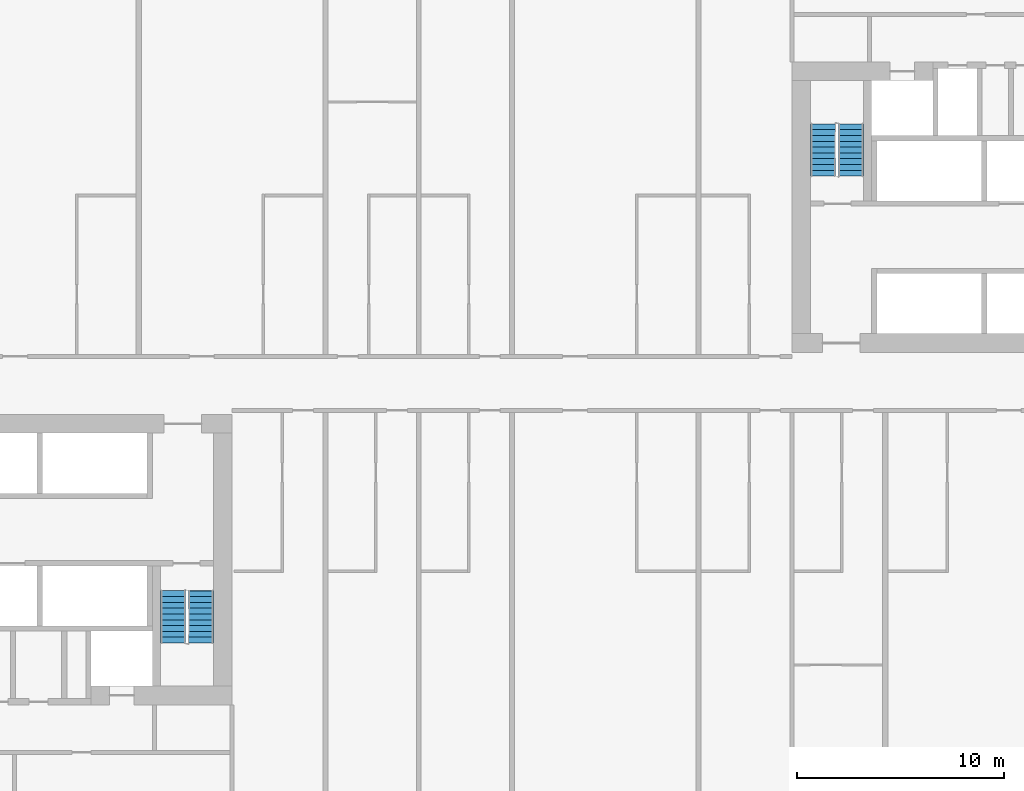
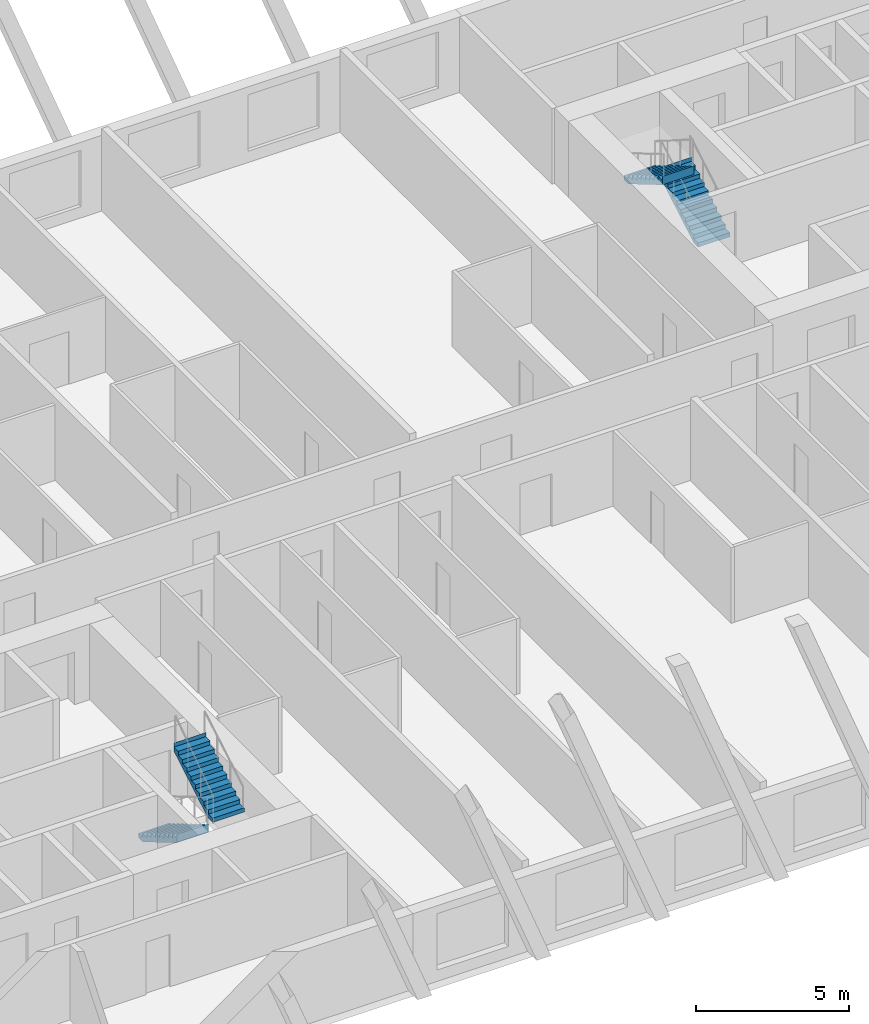
# One storey, part 10 of 13: 4 stair flights, 2 elements without a shape of their own.
"""IFC4 building model written with IfcOpenShell, lengths in metres."""

from ifc_helpers import new_model, si_unit, direction, frame, origin, place, context, subcontext, project, spatial, faceted_brep, material, type_object, element, aggregate, save


model = new_model("IFC4")

# Units and contexts
model_context = context("Model", 3, precision=1e-05, world=origin(), true_north=direction((0.0, 1.0)))
body_context = subcontext(model_context, "Body", "Model", "MODEL_VIEW")
ifc_project = project(units=[si_unit("LENGTHUNIT", "METRE"), si_unit("AREAUNIT", "SQUARE_METRE"), si_unit("VOLUMEUNIT", "CUBIC_METRE"), si_unit("PLANEANGLEUNIT", "RADIAN"), si_unit("MASSUNIT", "GRAM", prefix="KILO")], contexts=[model_context])

# Site, building, storey
site_placement = place(None, origin())
site = spatial("IfcSite", under=ifc_project, at=site_placement, CompositionType="ELEMENT")
building_placement = place(site_placement, origin())
building = spatial("IfcBuilding", under=site, at=building_placement, Name="Kajstack Hotel Tower", CompositionType="ELEMENT")
storey_placement = place(building_placement, frame((0.0, 0.0, 79.800048828125)))
storey = spatial("IfcBuildingStorey", under=building, at=storey_placement, Name="L15", CompositionType="ELEMENT", Elevation=79.800048828125)

# Stair, stair flights
ifc_material = material(Name="Concrete C40/50", Category="concrete")
stair_type = type_object("IfcStairType", Name="Exit stair 1200", PredefinedType="HALF_TURN_STAIR", material=ifc_material)
stair_1_placement = place(storey_placement, origin())
stair_1 = element("IfcStair", 1, at=stair_1_placement, inside=storey, type_object=stair_type, Name="L15 stair W2", PredefinedType="HALF_TURN_STAIR")
stair_flight_type = type_object("IfcStairFlightType", Name="Exit stair flight 1200", PredefinedType="STRAIGHT", material=ifc_material)
stair_flight_1_placement = place(storey_placement, frame((-16.35009765625, -10.0, 0.0), z_axis=(0.0, 0.0, 1.0), x_axis=(0.0, -1.0, 0.0)))
stair_flight_1 = element("IfcStairFlight", 2, at=stair_flight_1_placement, type_object=stair_flight_type, Name="W2 flight 1", NumberOfRisers=10, NumberOfTreads=9, PredefinedType="STRAIGHT", RiserHeight=0.165, TreadLength=0.28, context=body_context, shape_type="Brep", body=[
    faceted_brep([(0.295654296875, -0.60009765625, 0.0), (2.5205078125, -0.60009765625, 1.31103515625), (2.5205078125, -0.60009765625, 1.64990234375), (2.52001953125, -0.60009765625, 1.64990234375), (2.52001953125, -0.60009765625, 1.485107421875), (2.239990234375, -0.60009765625, 1.485107421875), (2.239990234375, -0.60009765625, 1.320068359375), (1.9599609375, -0.60009765625, 1.320068359375), (1.9599609375, -0.60009765625, 1.155029296875), (1.679931640625, -0.60009765625, 1.155029296875), (1.679931640625, -0.60009765625, 0.989990234375), (1.39990234375, -0.60009765625, 0.989990234375), (1.39990234375, -0.60009765625, 0.824951171875), (1.1201171875, -0.60009765625, 0.824951171875), (1.1201171875, -0.60009765625, 0.659912109375), (0.840087890625, -0.60009765625, 0.659912109375), (0.840087890625, -0.60009765625, 0.4951171875), (0.56005859375, -0.60009765625, 0.4951171875), (0.56005859375, -0.60009765625, 0.330078125), (0.280029296875, -0.60009765625, 0.330078125), (0.280029296875, -0.60009765625, 0.1650390625), (-0.00048828125, -0.60009765625, 0.1650390625), (-0.00048828125, -0.60009765625, 0.0), (-0.00048828125, 0.60009765625, 0.0), (-0.00048828125, 0.60009765625, 0.1650390625), (0.280029296875, 0.60009765625, 0.1650390625), (0.280029296875, 0.60009765625, 0.330078125), (0.56005859375, 0.60009765625, 0.330078125), (0.56005859375, 0.60009765625, 0.4951171875), (0.840087890625, 0.60009765625, 0.4951171875), (0.840087890625, 0.60009765625, 0.659912109375), (1.1201171875, 0.60009765625, 0.659912109375), (1.1201171875, 0.60009765625, 0.824951171875), (1.39990234375, 0.60009765625, 0.824951171875), (1.39990234375, 0.60009765625, 0.989990234375), (1.679931640625, 0.60009765625, 0.989990234375), (1.679931640625, 0.60009765625, 1.155029296875), (1.9599609375, 0.60009765625, 1.155029296875), (1.9599609375, 0.60009765625, 1.320068359375), (2.239990234375, 0.60009765625, 1.320068359375), (2.239990234375, 0.60009765625, 1.485107421875), (2.52001953125, 0.60009765625, 1.485107421875), (2.52001953125, 0.60009765625, 1.64990234375), (2.5205078125, 0.60009765625, 1.64990234375), (2.5205078125, 0.60009765625, 1.31103515625), (0.295654296875, 0.60009765625, 0.0), (-0.00048828125, -0.300048828125, 0.1650390625), (-0.00048828125, 0.0, 0.1650390625), (-0.00048828125, 0.300048828125, 0.1650390625), (-0.00048828125, 0.300048828125, 0.0), (-0.00048828125, 0.0, 0.0), (-0.00048828125, -0.300048828125, 0.0), (0.280029296875, -0.300048828125, 0.1650390625), (0.280029296875, 0.0, 0.1650390625), (0.280029296875, 0.300048828125, 0.1650390625), (0.280029296875, -0.300048828125, 0.330078125), (0.280029296875, 0.0, 0.330078125), (0.280029296875, 0.300048828125, 0.330078125), (0.56005859375, -0.300048828125, 0.330078125), (0.56005859375, 0.0, 0.330078125), (0.56005859375, 0.300048828125, 0.330078125), (0.56005859375, -0.300048828125, 0.4951171875), (0.56005859375, 0.0, 0.4951171875), (0.56005859375, 0.300048828125, 0.4951171875), (0.840087890625, -0.300048828125, 0.4951171875), (0.840087890625, 0.0, 0.4951171875), (0.840087890625, 0.300048828125, 0.4951171875), (0.840087890625, -0.300048828125, 0.659912109375), (0.840087890625, 0.0, 0.659912109375), (0.840087890625, 0.300048828125, 0.659912109375), (1.1201171875, -0.300048828125, 0.659912109375), (1.1201171875, 0.0, 0.659912109375), (1.1201171875, 0.300048828125, 0.659912109375), (1.1201171875, -0.300048828125, 0.824951171875), (1.1201171875, 0.0, 0.824951171875), (1.1201171875, 0.300048828125, 0.824951171875), (1.39990234375, -0.300048828125, 0.824951171875), (1.39990234375, 0.0, 0.824951171875), (1.39990234375, 0.300048828125, 0.824951171875), (1.39990234375, -0.300048828125, 0.989990234375), (1.39990234375, 0.0, 0.989990234375), (1.39990234375, 0.300048828125, 0.989990234375), (1.679931640625, -0.300048828125, 0.989990234375), (1.679931640625, 0.0, 0.989990234375), (1.679931640625, 0.300048828125, 0.989990234375), (1.679931640625, -0.300048828125, 1.155029296875), (1.679931640625, 0.0, 1.155029296875), (1.679931640625, 0.300048828125, 1.155029296875), (1.9599609375, -0.300048828125, 1.155029296875), (1.9599609375, 0.0, 1.155029296875), (1.9599609375, 0.300048828125, 1.155029296875), (1.9599609375, -0.300048828125, 1.320068359375), (1.9599609375, 0.0, 1.320068359375), (1.9599609375, 0.300048828125, 1.320068359375), (2.239990234375, -0.300048828125, 1.320068359375), (2.239990234375, 0.0, 1.320068359375), (2.239990234375, 0.300048828125, 1.320068359375), (2.239990234375, -0.300048828125, 1.485107421875), (2.239990234375, 0.0, 1.485107421875), (2.239990234375, 0.300048828125, 1.485107421875), (2.52001953125, -0.300048828125, 1.485107421875), (2.52001953125, 0.0, 1.485107421875), (2.52001953125, 0.300048828125, 1.485107421875), (2.52001953125, -0.300048828125, 1.64990234375), (2.52001953125, 0.0, 1.64990234375), (2.52001953125, 0.300048828125, 1.64990234375), (2.5205078125, -0.300048828125, 1.64990234375), (2.5205078125, 0.0, 1.64990234375), (2.5205078125, 0.300048828125, 1.64990234375), (2.5205078125, -0.300048828125, 1.31103515625), (2.5205078125, 0.0, 1.31103515625), (2.5205078125, 0.300048828125, 1.31103515625), (0.295654296875, -0.300048828125, 0.0), (0.295654296875, 0.0, 0.0), (0.295654296875, 0.300048828125, 0.0)], [[[0, 1, 2, 3, 4, 5, 6, 7, 8, 9, 10, 11, 12, 13, 14, 15, 16, 17, 18, 19, 20, 21, 22]], [[23, 24, 25, 26, 27, 28, 29, 30, 31, 32, 33, 34, 35, 36, 37, 38, 39, 40, 41, 42, 43, 44, 45]], [[21, 46, 47, 48, 24, 23, 49, 50, 51, 22]], [[20, 52, 53, 54, 25, 24, 48, 47, 46, 21]], [[19, 55, 56, 57, 26, 25, 54, 53, 52, 20]], [[18, 58, 59, 60, 27, 26, 57, 56, 55, 19]], [[17, 61, 62, 63, 28, 27, 60, 59, 58, 18]], [[16, 64, 65, 66, 29, 28, 63, 62, 61, 17]], [[15, 67, 68, 69, 30, 29, 66, 65, 64, 16]], [[14, 70, 71, 72, 31, 30, 69, 68, 67, 15]], [[13, 73, 74, 75, 32, 31, 72, 71, 70, 14]], [[12, 76, 77, 78, 33, 32, 75, 74, 73, 13]], [[11, 79, 80, 81, 34, 33, 78, 77, 76, 12]], [[10, 82, 83, 84, 35, 34, 81, 80, 79, 11]], [[9, 85, 86, 87, 36, 35, 84, 83, 82, 10]], [[8, 88, 89, 90, 37, 36, 87, 86, 85, 9]], [[7, 91, 92, 93, 38, 37, 90, 89, 88, 8]], [[6, 94, 95, 96, 39, 38, 93, 92, 91, 7]], [[5, 97, 98, 99, 40, 39, 96, 95, 94, 6]], [[4, 100, 101, 102, 41, 40, 99, 98, 97, 5]], [[3, 103, 104, 105, 42, 41, 102, 101, 100, 4]], [[2, 106, 107, 108, 43, 42, 105, 104, 103, 3]], [[1, 109, 110, 111, 44, 43, 108, 107, 106, 2]], [[0, 112, 113, 114, 45, 44, 111, 110, 109, 1]], [[22, 51, 50, 49, 23, 45, 114, 113, 112, 0]]]),
])
stair_flight_2_placement = place(storey_placement, frame((-15.0, -12.52001953125, 1.64990234375), z_axis=(0.0, 0.0, 1.0), x_axis=(0.0, 1.0, 0.0)))
stair_flight_2 = element("IfcStairFlight", 3, at=stair_flight_2_placement, type_object=stair_flight_type, Name="W2 flight 2", NumberOfRisers=10, NumberOfTreads=9, PredefinedType="STRAIGHT", RiserHeight=0.165, TreadLength=0.28, context=body_context, shape_type="Brep", body=[
    faceted_brep([(0.295654296875, -0.60009765625, 0.0), (2.5205078125, -0.60009765625, 1.31103515625), (2.5205078125, -0.60009765625, 1.64990234375), (2.52001953125, -0.60009765625, 1.64990234375), (2.52001953125, -0.60009765625, 1.485107421875), (2.239990234375, -0.60009765625, 1.485107421875), (2.239990234375, -0.60009765625, 1.320068359375), (1.9599609375, -0.60009765625, 1.320068359375), (1.9599609375, -0.60009765625, 1.155029296875), (1.679931640625, -0.60009765625, 1.155029296875), (1.679931640625, -0.60009765625, 0.989990234375), (1.39990234375, -0.60009765625, 0.989990234375), (1.39990234375, -0.60009765625, 0.824951171875), (1.1201171875, -0.60009765625, 0.824951171875), (1.1201171875, -0.60009765625, 0.659912109375), (0.840087890625, -0.60009765625, 0.659912109375), (0.840087890625, -0.60009765625, 0.4951171875), (0.56005859375, -0.60009765625, 0.4951171875), (0.56005859375, -0.60009765625, 0.330078125), (0.280029296875, -0.60009765625, 0.330078125), (0.280029296875, -0.60009765625, 0.1650390625), (-0.00048828125, -0.60009765625, 0.1650390625), (-0.00048828125, -0.60009765625, 0.0), (-0.00048828125, 0.60009765625, 0.0), (-0.00048828125, 0.60009765625, 0.1650390625), (0.280029296875, 0.60009765625, 0.1650390625), (0.280029296875, 0.60009765625, 0.330078125), (0.56005859375, 0.60009765625, 0.330078125), (0.56005859375, 0.60009765625, 0.4951171875), (0.840087890625, 0.60009765625, 0.4951171875), (0.840087890625, 0.60009765625, 0.659912109375), (1.1201171875, 0.60009765625, 0.659912109375), (1.1201171875, 0.60009765625, 0.824951171875), (1.39990234375, 0.60009765625, 0.824951171875), (1.39990234375, 0.60009765625, 0.989990234375), (1.679931640625, 0.60009765625, 0.989990234375), (1.679931640625, 0.60009765625, 1.155029296875), (1.9599609375, 0.60009765625, 1.155029296875), (1.9599609375, 0.60009765625, 1.320068359375), (2.239990234375, 0.60009765625, 1.320068359375), (2.239990234375, 0.60009765625, 1.485107421875), (2.52001953125, 0.60009765625, 1.485107421875), (2.52001953125, 0.60009765625, 1.64990234375), (2.5205078125, 0.60009765625, 1.64990234375), (2.5205078125, 0.60009765625, 1.31103515625), (0.295654296875, 0.60009765625, 0.0), (-0.00048828125, -0.300048828125, 0.1650390625), (-0.00048828125, 0.0, 0.1650390625), (-0.00048828125, 0.300048828125, 0.1650390625), (-0.00048828125, 0.300048828125, 0.0), (-0.00048828125, 0.0, 0.0), (-0.00048828125, -0.300048828125, 0.0), (0.280029296875, -0.300048828125, 0.1650390625), (0.280029296875, 0.0, 0.1650390625), (0.280029296875, 0.300048828125, 0.1650390625), (0.280029296875, -0.300048828125, 0.330078125), (0.280029296875, 0.0, 0.330078125), (0.280029296875, 0.300048828125, 0.330078125), (0.56005859375, -0.300048828125, 0.330078125), (0.56005859375, 0.0, 0.330078125), (0.56005859375, 0.300048828125, 0.330078125), (0.56005859375, -0.300048828125, 0.4951171875), (0.56005859375, 0.0, 0.4951171875), (0.56005859375, 0.300048828125, 0.4951171875), (0.840087890625, -0.300048828125, 0.4951171875), (0.840087890625, 0.0, 0.4951171875), (0.840087890625, 0.300048828125, 0.4951171875), (0.840087890625, -0.300048828125, 0.659912109375), (0.840087890625, 0.0, 0.659912109375), (0.840087890625, 0.300048828125, 0.659912109375), (1.1201171875, -0.300048828125, 0.659912109375), (1.1201171875, 0.0, 0.659912109375), (1.1201171875, 0.300048828125, 0.659912109375), (1.1201171875, -0.300048828125, 0.824951171875), (1.1201171875, 0.0, 0.824951171875), (1.1201171875, 0.300048828125, 0.824951171875), (1.39990234375, -0.300048828125, 0.824951171875), (1.39990234375, 0.0, 0.824951171875), (1.39990234375, 0.300048828125, 0.824951171875), (1.39990234375, -0.300048828125, 0.989990234375), (1.39990234375, 0.0, 0.989990234375), (1.39990234375, 0.300048828125, 0.989990234375), (1.679931640625, -0.300048828125, 0.989990234375), (1.679931640625, 0.0, 0.989990234375), (1.679931640625, 0.300048828125, 0.989990234375), (1.679931640625, -0.300048828125, 1.155029296875), (1.679931640625, 0.0, 1.155029296875), (1.679931640625, 0.300048828125, 1.155029296875), (1.9599609375, -0.300048828125, 1.155029296875), (1.9599609375, 0.0, 1.155029296875), (1.9599609375, 0.300048828125, 1.155029296875), (1.9599609375, -0.300048828125, 1.320068359375), (1.9599609375, 0.0, 1.320068359375), (1.9599609375, 0.300048828125, 1.320068359375), (2.239990234375, -0.300048828125, 1.320068359375), (2.239990234375, 0.0, 1.320068359375), (2.239990234375, 0.300048828125, 1.320068359375), (2.239990234375, -0.300048828125, 1.485107421875), (2.239990234375, 0.0, 1.485107421875), (2.239990234375, 0.300048828125, 1.485107421875), (2.52001953125, -0.300048828125, 1.485107421875), (2.52001953125, 0.0, 1.485107421875), (2.52001953125, 0.300048828125, 1.485107421875), (2.52001953125, -0.300048828125, 1.64990234375), (2.52001953125, 0.0, 1.64990234375), (2.52001953125, 0.300048828125, 1.64990234375), (2.5205078125, -0.300048828125, 1.64990234375), (2.5205078125, 0.0, 1.64990234375), (2.5205078125, 0.300048828125, 1.64990234375), (2.5205078125, -0.300048828125, 1.31103515625), (2.5205078125, 0.0, 1.31103515625), (2.5205078125, 0.300048828125, 1.31103515625), (0.295654296875, -0.300048828125, 0.0), (0.295654296875, 0.0, 0.0), (0.295654296875, 0.300048828125, 0.0)], [[[0, 1, 2, 3, 4, 5, 6, 7, 8, 9, 10, 11, 12, 13, 14, 15, 16, 17, 18, 19, 20, 21, 22]], [[23, 24, 25, 26, 27, 28, 29, 30, 31, 32, 33, 34, 35, 36, 37, 38, 39, 40, 41, 42, 43, 44, 45]], [[21, 46, 47, 48, 24, 23, 49, 50, 51, 22]], [[20, 52, 53, 54, 25, 24, 48, 47, 46, 21]], [[19, 55, 56, 57, 26, 25, 54, 53, 52, 20]], [[18, 58, 59, 60, 27, 26, 57, 56, 55, 19]], [[17, 61, 62, 63, 28, 27, 60, 59, 58, 18]], [[16, 64, 65, 66, 29, 28, 63, 62, 61, 17]], [[15, 67, 68, 69, 30, 29, 66, 65, 64, 16]], [[14, 70, 71, 72, 31, 30, 69, 68, 67, 15]], [[13, 73, 74, 75, 32, 31, 72, 71, 70, 14]], [[12, 76, 77, 78, 33, 32, 75, 74, 73, 13]], [[11, 79, 80, 81, 34, 33, 78, 77, 76, 12]], [[10, 82, 83, 84, 35, 34, 81, 80, 79, 11]], [[9, 85, 86, 87, 36, 35, 84, 83, 82, 10]], [[8, 88, 89, 90, 37, 36, 87, 86, 85, 9]], [[7, 91, 92, 93, 38, 37, 90, 89, 88, 8]], [[6, 94, 95, 96, 39, 38, 93, 92, 91, 7]], [[5, 97, 98, 99, 40, 39, 96, 95, 94, 6]], [[4, 100, 101, 102, 41, 40, 99, 98, 97, 5]], [[3, 103, 104, 105, 42, 41, 102, 101, 100, 4]], [[2, 106, 107, 108, 43, 42, 105, 104, 103, 3]], [[1, 109, 110, 111, 44, 43, 108, 107, 106, 2]], [[0, 112, 113, 114, 45, 44, 111, 110, 109, 1]], [[22, 51, 50, 49, 23, 45, 114, 113, 112, 0]]]),
])
aggregate(stair_1, [stair_flight_1, stair_flight_2])

stair_2_placement = place(storey_placement, origin())
stair_2 = element("IfcStair", 4, at=stair_2_placement, inside=storey, type_object=stair_type, Name="L15 stair E2", PredefinedType="HALF_TURN_STAIR")
stair_flight_3_placement = place(storey_placement, frame((16.35009765625, 10.0, 0.0), z_axis=(0.0, 0.0, 1.0), x_axis=(0.0, 1.0, 0.0)))
stair_flight_3 = element("IfcStairFlight", 5, at=stair_flight_3_placement, type_object=stair_flight_type, Name="E2 flight 1", NumberOfRisers=10, NumberOfTreads=9, PredefinedType="STRAIGHT", RiserHeight=0.165, TreadLength=0.28, context=body_context, shape_type="Brep", body=[
    faceted_brep([(0.295654296875, -0.60009765625, 0.0), (2.5205078125, -0.60009765625, 1.31103515625), (2.5205078125, -0.60009765625, 1.64990234375), (2.52001953125, -0.60009765625, 1.64990234375), (2.52001953125, -0.60009765625, 1.485107421875), (2.239990234375, -0.60009765625, 1.485107421875), (2.239990234375, -0.60009765625, 1.320068359375), (1.9599609375, -0.60009765625, 1.320068359375), (1.9599609375, -0.60009765625, 1.155029296875), (1.679931640625, -0.60009765625, 1.155029296875), (1.679931640625, -0.60009765625, 0.989990234375), (1.39990234375, -0.60009765625, 0.989990234375), (1.39990234375, -0.60009765625, 0.824951171875), (1.1201171875, -0.60009765625, 0.824951171875), (1.1201171875, -0.60009765625, 0.659912109375), (0.840087890625, -0.60009765625, 0.659912109375), (0.840087890625, -0.60009765625, 0.4951171875), (0.56005859375, -0.60009765625, 0.4951171875), (0.56005859375, -0.60009765625, 0.330078125), (0.280029296875, -0.60009765625, 0.330078125), (0.280029296875, -0.60009765625, 0.1650390625), (-0.00048828125, -0.60009765625, 0.1650390625), (-0.00048828125, -0.60009765625, 0.0), (-0.00048828125, 0.60009765625, 0.0), (-0.00048828125, 0.60009765625, 0.1650390625), (0.280029296875, 0.60009765625, 0.1650390625), (0.280029296875, 0.60009765625, 0.330078125), (0.56005859375, 0.60009765625, 0.330078125), (0.56005859375, 0.60009765625, 0.4951171875), (0.840087890625, 0.60009765625, 0.4951171875), (0.840087890625, 0.60009765625, 0.659912109375), (1.1201171875, 0.60009765625, 0.659912109375), (1.1201171875, 0.60009765625, 0.824951171875), (1.39990234375, 0.60009765625, 0.824951171875), (1.39990234375, 0.60009765625, 0.989990234375), (1.679931640625, 0.60009765625, 0.989990234375), (1.679931640625, 0.60009765625, 1.155029296875), (1.9599609375, 0.60009765625, 1.155029296875), (1.9599609375, 0.60009765625, 1.320068359375), (2.239990234375, 0.60009765625, 1.320068359375), (2.239990234375, 0.60009765625, 1.485107421875), (2.52001953125, 0.60009765625, 1.485107421875), (2.52001953125, 0.60009765625, 1.64990234375), (2.5205078125, 0.60009765625, 1.64990234375), (2.5205078125, 0.60009765625, 1.31103515625), (0.295654296875, 0.60009765625, 0.0), (-0.00048828125, -0.300048828125, 0.1650390625), (-0.00048828125, 0.0, 0.1650390625), (-0.00048828125, 0.300048828125, 0.1650390625), (-0.00048828125, 0.300048828125, 0.0), (-0.00048828125, 0.0, 0.0), (-0.00048828125, -0.300048828125, 0.0), (0.280029296875, -0.300048828125, 0.1650390625), (0.280029296875, 0.0, 0.1650390625), (0.280029296875, 0.300048828125, 0.1650390625), (0.280029296875, -0.300048828125, 0.330078125), (0.280029296875, 0.0, 0.330078125), (0.280029296875, 0.300048828125, 0.330078125), (0.56005859375, -0.300048828125, 0.330078125), (0.56005859375, 0.0, 0.330078125), (0.56005859375, 0.300048828125, 0.330078125), (0.56005859375, -0.300048828125, 0.4951171875), (0.56005859375, 0.0, 0.4951171875), (0.56005859375, 0.300048828125, 0.4951171875), (0.840087890625, -0.300048828125, 0.4951171875), (0.840087890625, 0.0, 0.4951171875), (0.840087890625, 0.300048828125, 0.4951171875), (0.840087890625, -0.300048828125, 0.659912109375), (0.840087890625, 0.0, 0.659912109375), (0.840087890625, 0.300048828125, 0.659912109375), (1.1201171875, -0.300048828125, 0.659912109375), (1.1201171875, 0.0, 0.659912109375), (1.1201171875, 0.300048828125, 0.659912109375), (1.1201171875, -0.300048828125, 0.824951171875), (1.1201171875, 0.0, 0.824951171875), (1.1201171875, 0.300048828125, 0.824951171875), (1.39990234375, -0.300048828125, 0.824951171875), (1.39990234375, 0.0, 0.824951171875), (1.39990234375, 0.300048828125, 0.824951171875), (1.39990234375, -0.300048828125, 0.989990234375), (1.39990234375, 0.0, 0.989990234375), (1.39990234375, 0.300048828125, 0.989990234375), (1.679931640625, -0.300048828125, 0.989990234375), (1.679931640625, 0.0, 0.989990234375), (1.679931640625, 0.300048828125, 0.989990234375), (1.679931640625, -0.300048828125, 1.155029296875), (1.679931640625, 0.0, 1.155029296875), (1.679931640625, 0.300048828125, 1.155029296875), (1.9599609375, -0.300048828125, 1.155029296875), (1.9599609375, 0.0, 1.155029296875), (1.9599609375, 0.300048828125, 1.155029296875), (1.9599609375, -0.300048828125, 1.320068359375), (1.9599609375, 0.0, 1.320068359375), (1.9599609375, 0.300048828125, 1.320068359375), (2.239990234375, -0.300048828125, 1.320068359375), (2.239990234375, 0.0, 1.320068359375), (2.239990234375, 0.300048828125, 1.320068359375), (2.239990234375, -0.300048828125, 1.485107421875), (2.239990234375, 0.0, 1.485107421875), (2.239990234375, 0.300048828125, 1.485107421875), (2.52001953125, -0.300048828125, 1.485107421875), (2.52001953125, 0.0, 1.485107421875), (2.52001953125, 0.300048828125, 1.485107421875), (2.52001953125, -0.300048828125, 1.64990234375), (2.52001953125, 0.0, 1.64990234375), (2.52001953125, 0.300048828125, 1.64990234375), (2.5205078125, -0.300048828125, 1.64990234375), (2.5205078125, 0.0, 1.64990234375), (2.5205078125, 0.300048828125, 1.64990234375), (2.5205078125, -0.300048828125, 1.31103515625), (2.5205078125, 0.0, 1.31103515625), (2.5205078125, 0.300048828125, 1.31103515625), (0.295654296875, -0.300048828125, 0.0), (0.295654296875, 0.0, 0.0), (0.295654296875, 0.300048828125, 0.0)], [[[0, 1, 2, 3, 4, 5, 6, 7, 8, 9, 10, 11, 12, 13, 14, 15, 16, 17, 18, 19, 20, 21, 22]], [[23, 24, 25, 26, 27, 28, 29, 30, 31, 32, 33, 34, 35, 36, 37, 38, 39, 40, 41, 42, 43, 44, 45]], [[21, 46, 47, 48, 24, 23, 49, 50, 51, 22]], [[20, 52, 53, 54, 25, 24, 48, 47, 46, 21]], [[19, 55, 56, 57, 26, 25, 54, 53, 52, 20]], [[18, 58, 59, 60, 27, 26, 57, 56, 55, 19]], [[17, 61, 62, 63, 28, 27, 60, 59, 58, 18]], [[16, 64, 65, 66, 29, 28, 63, 62, 61, 17]], [[15, 67, 68, 69, 30, 29, 66, 65, 64, 16]], [[14, 70, 71, 72, 31, 30, 69, 68, 67, 15]], [[13, 73, 74, 75, 32, 31, 72, 71, 70, 14]], [[12, 76, 77, 78, 33, 32, 75, 74, 73, 13]], [[11, 79, 80, 81, 34, 33, 78, 77, 76, 12]], [[10, 82, 83, 84, 35, 34, 81, 80, 79, 11]], [[9, 85, 86, 87, 36, 35, 84, 83, 82, 10]], [[8, 88, 89, 90, 37, 36, 87, 86, 85, 9]], [[7, 91, 92, 93, 38, 37, 90, 89, 88, 8]], [[6, 94, 95, 96, 39, 38, 93, 92, 91, 7]], [[5, 97, 98, 99, 40, 39, 96, 95, 94, 6]], [[4, 100, 101, 102, 41, 40, 99, 98, 97, 5]], [[3, 103, 104, 105, 42, 41, 102, 101, 100, 4]], [[2, 106, 107, 108, 43, 42, 105, 104, 103, 3]], [[1, 109, 110, 111, 44, 43, 108, 107, 106, 2]], [[0, 112, 113, 114, 45, 44, 111, 110, 109, 1]], [[22, 51, 50, 49, 23, 45, 114, 113, 112, 0]]]),
])
stair_flight_4_placement = place(storey_placement, frame((15.0, 12.52001953125, 1.64990234375), z_axis=(0.0, 0.0, 1.0), x_axis=(0.0, -1.0, 0.0)))
stair_flight_4 = element("IfcStairFlight", 6, at=stair_flight_4_placement, type_object=stair_flight_type, Name="E2 flight 2", NumberOfRisers=10, NumberOfTreads=9, PredefinedType="STRAIGHT", RiserHeight=0.165, TreadLength=0.28, context=body_context, shape_type="Brep", body=[
    faceted_brep([(0.295654296875, -0.60009765625, 0.0), (2.5205078125, -0.60009765625, 1.31103515625), (2.5205078125, -0.60009765625, 1.64990234375), (2.52001953125, -0.60009765625, 1.64990234375), (2.52001953125, -0.60009765625, 1.485107421875), (2.239990234375, -0.60009765625, 1.485107421875), (2.239990234375, -0.60009765625, 1.320068359375), (1.9599609375, -0.60009765625, 1.320068359375), (1.9599609375, -0.60009765625, 1.155029296875), (1.679931640625, -0.60009765625, 1.155029296875), (1.679931640625, -0.60009765625, 0.989990234375), (1.39990234375, -0.60009765625, 0.989990234375), (1.39990234375, -0.60009765625, 0.824951171875), (1.1201171875, -0.60009765625, 0.824951171875), (1.1201171875, -0.60009765625, 0.659912109375), (0.840087890625, -0.60009765625, 0.659912109375), (0.840087890625, -0.60009765625, 0.4951171875), (0.56005859375, -0.60009765625, 0.4951171875), (0.56005859375, -0.60009765625, 0.330078125), (0.280029296875, -0.60009765625, 0.330078125), (0.280029296875, -0.60009765625, 0.1650390625), (-0.00048828125, -0.60009765625, 0.1650390625), (-0.00048828125, -0.60009765625, 0.0), (-0.00048828125, 0.60009765625, 0.0), (-0.00048828125, 0.60009765625, 0.1650390625), (0.280029296875, 0.60009765625, 0.1650390625), (0.280029296875, 0.60009765625, 0.330078125), (0.56005859375, 0.60009765625, 0.330078125), (0.56005859375, 0.60009765625, 0.4951171875), (0.840087890625, 0.60009765625, 0.4951171875), (0.840087890625, 0.60009765625, 0.659912109375), (1.1201171875, 0.60009765625, 0.659912109375), (1.1201171875, 0.60009765625, 0.824951171875), (1.39990234375, 0.60009765625, 0.824951171875), (1.39990234375, 0.60009765625, 0.989990234375), (1.679931640625, 0.60009765625, 0.989990234375), (1.679931640625, 0.60009765625, 1.155029296875), (1.9599609375, 0.60009765625, 1.155029296875), (1.9599609375, 0.60009765625, 1.320068359375), (2.239990234375, 0.60009765625, 1.320068359375), (2.239990234375, 0.60009765625, 1.485107421875), (2.52001953125, 0.60009765625, 1.485107421875), (2.52001953125, 0.60009765625, 1.64990234375), (2.5205078125, 0.60009765625, 1.64990234375), (2.5205078125, 0.60009765625, 1.31103515625), (0.295654296875, 0.60009765625, 0.0), (-0.00048828125, -0.300048828125, 0.1650390625), (-0.00048828125, 0.0, 0.1650390625), (-0.00048828125, 0.300048828125, 0.1650390625), (-0.00048828125, 0.300048828125, 0.0), (-0.00048828125, 0.0, 0.0), (-0.00048828125, -0.300048828125, 0.0), (0.280029296875, -0.300048828125, 0.1650390625), (0.280029296875, 0.0, 0.1650390625), (0.280029296875, 0.300048828125, 0.1650390625), (0.280029296875, -0.300048828125, 0.330078125), (0.280029296875, 0.0, 0.330078125), (0.280029296875, 0.300048828125, 0.330078125), (0.56005859375, -0.300048828125, 0.330078125), (0.56005859375, 0.0, 0.330078125), (0.56005859375, 0.300048828125, 0.330078125), (0.56005859375, -0.300048828125, 0.4951171875), (0.56005859375, 0.0, 0.4951171875), (0.56005859375, 0.300048828125, 0.4951171875), (0.840087890625, -0.300048828125, 0.4951171875), (0.840087890625, 0.0, 0.4951171875), (0.840087890625, 0.300048828125, 0.4951171875), (0.840087890625, -0.300048828125, 0.659912109375), (0.840087890625, 0.0, 0.659912109375), (0.840087890625, 0.300048828125, 0.659912109375), (1.1201171875, -0.300048828125, 0.659912109375), (1.1201171875, 0.0, 0.659912109375), (1.1201171875, 0.300048828125, 0.659912109375), (1.1201171875, -0.300048828125, 0.824951171875), (1.1201171875, 0.0, 0.824951171875), (1.1201171875, 0.300048828125, 0.824951171875), (1.39990234375, -0.300048828125, 0.824951171875), (1.39990234375, 0.0, 0.824951171875), (1.39990234375, 0.300048828125, 0.824951171875), (1.39990234375, -0.300048828125, 0.989990234375), (1.39990234375, 0.0, 0.989990234375), (1.39990234375, 0.300048828125, 0.989990234375), (1.679931640625, -0.300048828125, 0.989990234375), (1.679931640625, 0.0, 0.989990234375), (1.679931640625, 0.300048828125, 0.989990234375), (1.679931640625, -0.300048828125, 1.155029296875), (1.679931640625, 0.0, 1.155029296875), (1.679931640625, 0.300048828125, 1.155029296875), (1.9599609375, -0.300048828125, 1.155029296875), (1.9599609375, 0.0, 1.155029296875), (1.9599609375, 0.300048828125, 1.155029296875), (1.9599609375, -0.300048828125, 1.320068359375), (1.9599609375, 0.0, 1.320068359375), (1.9599609375, 0.300048828125, 1.320068359375), (2.239990234375, -0.300048828125, 1.320068359375), (2.239990234375, 0.0, 1.320068359375), (2.239990234375, 0.300048828125, 1.320068359375), (2.239990234375, -0.300048828125, 1.485107421875), (2.239990234375, 0.0, 1.485107421875), (2.239990234375, 0.300048828125, 1.485107421875), (2.52001953125, -0.300048828125, 1.485107421875), (2.52001953125, 0.0, 1.485107421875), (2.52001953125, 0.300048828125, 1.485107421875), (2.52001953125, -0.300048828125, 1.64990234375), (2.52001953125, 0.0, 1.64990234375), (2.52001953125, 0.300048828125, 1.64990234375), (2.5205078125, -0.300048828125, 1.64990234375), (2.5205078125, 0.0, 1.64990234375), (2.5205078125, 0.300048828125, 1.64990234375), (2.5205078125, -0.300048828125, 1.31103515625), (2.5205078125, 0.0, 1.31103515625), (2.5205078125, 0.300048828125, 1.31103515625), (0.295654296875, -0.300048828125, 0.0), (0.295654296875, 0.0, 0.0), (0.295654296875, 0.300048828125, 0.0)], [[[0, 1, 2, 3, 4, 5, 6, 7, 8, 9, 10, 11, 12, 13, 14, 15, 16, 17, 18, 19, 20, 21, 22]], [[23, 24, 25, 26, 27, 28, 29, 30, 31, 32, 33, 34, 35, 36, 37, 38, 39, 40, 41, 42, 43, 44, 45]], [[21, 46, 47, 48, 24, 23, 49, 50, 51, 22]], [[20, 52, 53, 54, 25, 24, 48, 47, 46, 21]], [[19, 55, 56, 57, 26, 25, 54, 53, 52, 20]], [[18, 58, 59, 60, 27, 26, 57, 56, 55, 19]], [[17, 61, 62, 63, 28, 27, 60, 59, 58, 18]], [[16, 64, 65, 66, 29, 28, 63, 62, 61, 17]], [[15, 67, 68, 69, 30, 29, 66, 65, 64, 16]], [[14, 70, 71, 72, 31, 30, 69, 68, 67, 15]], [[13, 73, 74, 75, 32, 31, 72, 71, 70, 14]], [[12, 76, 77, 78, 33, 32, 75, 74, 73, 13]], [[11, 79, 80, 81, 34, 33, 78, 77, 76, 12]], [[10, 82, 83, 84, 35, 34, 81, 80, 79, 11]], [[9, 85, 86, 87, 36, 35, 84, 83, 82, 10]], [[8, 88, 89, 90, 37, 36, 87, 86, 85, 9]], [[7, 91, 92, 93, 38, 37, 90, 89, 88, 8]], [[6, 94, 95, 96, 39, 38, 93, 92, 91, 7]], [[5, 97, 98, 99, 40, 39, 96, 95, 94, 6]], [[4, 100, 101, 102, 41, 40, 99, 98, 97, 5]], [[3, 103, 104, 105, 42, 41, 102, 101, 100, 4]], [[2, 106, 107, 108, 43, 42, 105, 104, 103, 3]], [[1, 109, 110, 111, 44, 43, 108, 107, 106, 2]], [[0, 112, 113, 114, 45, 44, 111, 110, 109, 1]], [[22, 51, 50, 49, 23, 45, 114, 113, 112, 0]]]),
])
aggregate(stair_2, [stair_flight_3, stair_flight_4])

save(model, "model.ifc")
